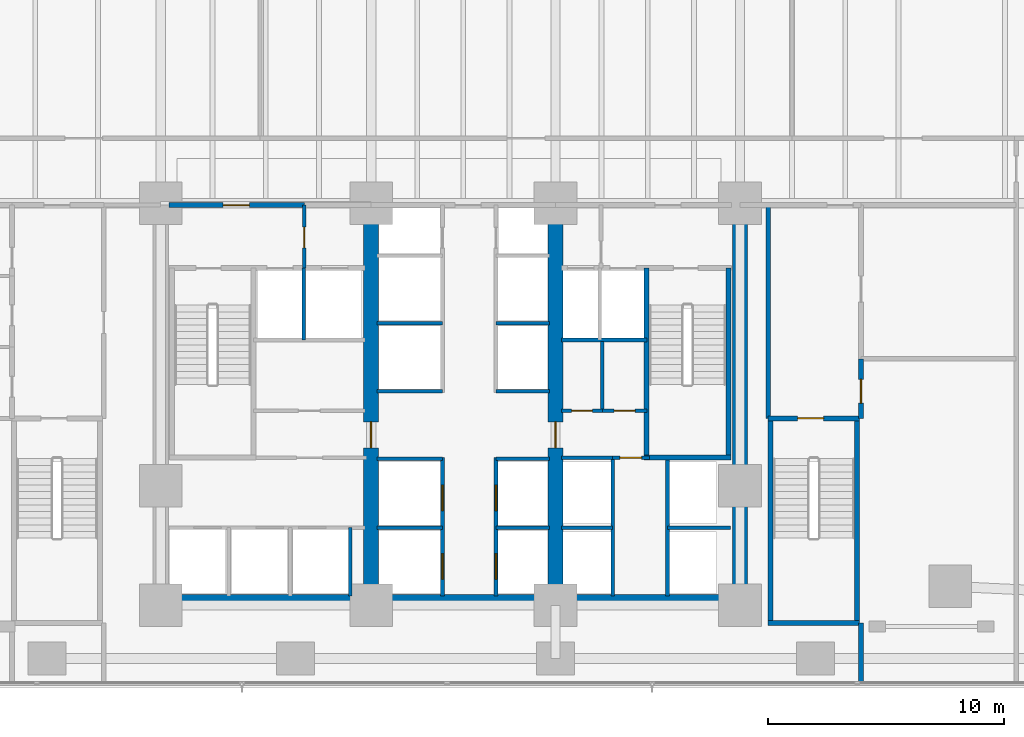
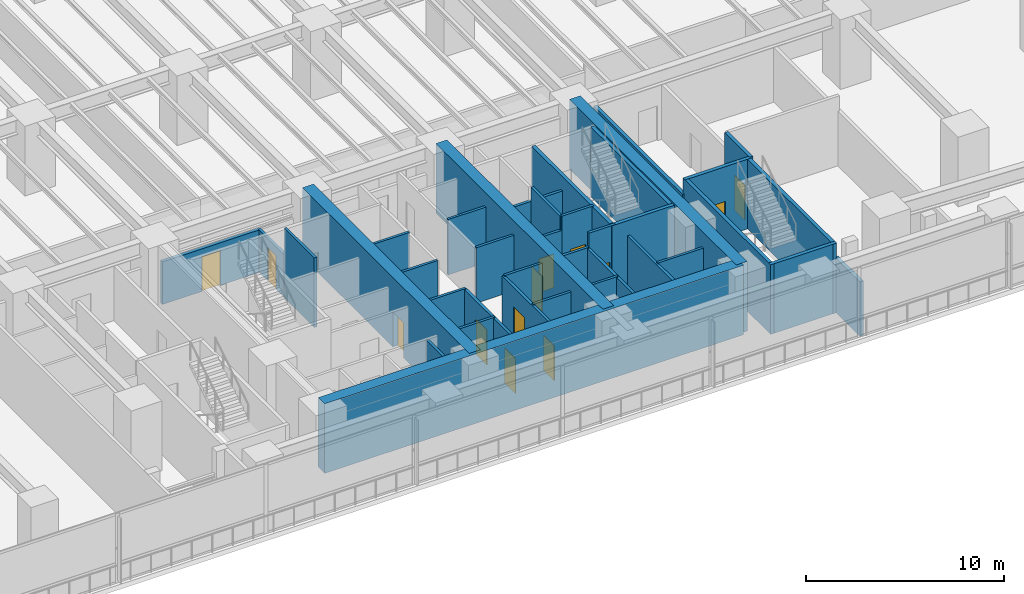
# One storey, part 11 of 27: 38 walls, 13 doors, 13 openings.
"""IFC4 building model written with IfcOpenShell, lengths in metres."""

from ifc_helpers import new_model, si_unit, direction, frame, frame_2d, origin, place, context, subcontext, project, spatial, rectangle, extrude, material, layer, layer_set, type_object, element, fill, save


model = new_model("IFC4")

# Units and contexts
model_context = context("Model", 3, precision=1e-05, world=origin(), true_north=direction((0.0, 1.0)))
body_context = subcontext(model_context, "Body", "Model", "MODEL_VIEW")
ifc_project = project(units=[si_unit("LENGTHUNIT", "METRE"), si_unit("AREAUNIT", "SQUARE_METRE"), si_unit("VOLUMEUNIT", "CUBIC_METRE"), si_unit("PLANEANGLEUNIT", "RADIAN"), si_unit("MASSUNIT", "GRAM", prefix="KILO")], contexts=[model_context])

# Site, building, storey
site_placement = place(None, origin())
site = spatial("IfcSite", under=ifc_project, at=site_placement, CompositionType="ELEMENT")
building_placement = place(site_placement, origin())
building = spatial("IfcBuilding", under=site, at=building_placement, Name="Qalmaran Belvedere Hotel", CompositionType="ELEMENT")
storey_placement = place(building_placement, frame((0.0, 0.0, 5.39990234375)))
storey = spatial("IfcBuildingStorey", under=building, at=storey_placement, Name="L01", CompositionType="ELEMENT", Elevation=5.39990234375)

# Walls
ifc_material_1 = material(Name="Concrete C60/75", Category="concrete")
ifc_layer_1 = layer(ifc_material_1, 0.64990234375, Name="Concrete C60/75")
ifc_layer_set_1 = layer_set([ifc_layer_1], Name="Concrete C60/75")
wall_type_1 = type_object("IfcWallType", Name="WL-CORE-650-C60", PredefinedType="SHEAR", material=ifc_layer_set_1)
wall_1_placement = place(storey_placement, frame((20.300048828125, 3.6298828125, 0.0), z_axis=(0.0, 0.0, 1.0), x_axis=(1.0, 0.0, 0.0)))
element("IfcWall", 1, at=wall_1_placement, inside=storey, type_object=wall_type_1, Name="L01 South Core Shear Wall", PredefinedType="SHEAR", context=body_context, shape_type="SweptSolid", body=[
    extrude(rectangle(XDim=24.5, YDim=0.64990234375, at=frame_2d((12.25, 0.0))), origin(), (0.0, 0.0, 1.0), 4.300048828125),
])
wall_2_placement = place(storey_placement, frame((44.800048828125, 3.5, 0.0), z_axis=(0.0, 0.0, 1.0), x_axis=(0.0, 1.0, 0.0)))
element("IfcWall", 2, at=wall_2_placement, inside=storey, type_object=wall_type_1, Name="L01 East Core Shear Wall", PredefinedType="SHEAR", context=body_context, shape_type="SweptSolid", body=[
    extrude(rectangle(XDim=16.89990234375, YDim=0.64990234375, at=frame_2d((8.449951171875, 0.0))), origin(), (0.0, 0.0, 1.0), 4.300048828125),
])

# Wall, opening, door
wall_3_placement = place(storey_placement, frame((29.199951171875, 3.5, 0.0), z_axis=(0.0, 0.0, 1.0), x_axis=(0.0, 1.0, 0.0)))
wall_3 = element("IfcWall", 3, at=wall_3_placement, inside=storey, type_object=wall_type_1, Name="L01 Core West Spine Shear Wall", PredefinedType="SHEAR", context=body_context, shape_type="SweptSolid", body=[
    extrude(rectangle(XDim=16.89990234375, YDim=0.64990234375, at=frame_2d((8.449951171875, 0.0))), origin(), (0.0, 0.0, 1.0), 4.300048828125),
])
opening_1_placement = place(wall_3_placement, frame((7.75, 0.0, 0.0), z_axis=(0.0, 0.0, 1.0), x_axis=(-1.0, 0.0, 0.0)))
opening_1 = element("IfcOpeningElement", 4, at=opening_1_placement, cuts=wall_3, Name="Opening FD90", PredefinedType="OPENING", context=body_context, shape_type="SweptSolid", body=[
    extrude(rectangle(XDim=1.10009765625, YDim=2.14990234375, at=frame_2d((0.550048828125, 1.074951171875))), frame((0.0, 0.3349609375, 0.0), z_axis=(0.0, -1.0, 0.0), x_axis=(1.0, 0.0, 0.0)), (0.0, 0.0, 1.0), 0.669921875),
])
ifc_material_2 = material(Name="Steel S355JR", Category="steel")
door_type_1 = type_object("IfcDoorType", Name="DR-FD90-1100X2150", OperationType="NOTDEFINED", PredefinedType="DOOR", material=ifc_material_2)
door_1_placement = place(opening_1_placement, origin())
door_1 = element("IfcDoor", 5, at=door_1_placement, inside=storey, type_object=door_type_1, Name="L01 Core West Cross-Lobby Door", OperationType="SINGLE_SWING_RIGHT", OverallHeight=2.14990234375, OverallWidth=1.10009765625, PredefinedType="DOOR", context=body_context, shape_type="SweptSolid", body=[
    extrude(rectangle(XDim=1.10009765625, YDim=2.14990234375, at=frame_2d((0.550048828125, 1.074951171875))), frame((0.0, 0.02490234375, 0.0), z_axis=(0.0, -1.0, 0.0), x_axis=(1.0, 0.0, 0.0)), (0.0, 0.0, 1.0), 0.050048828125),
])
fill(opening_1, door_1)

wall_4_placement = place(storey_placement, frame((37.0, 3.5, 0.0), z_axis=(0.0, 0.0, 1.0), x_axis=(0.0, 1.0, 0.0)))
wall_4 = element("IfcWall", 6, at=wall_4_placement, inside=storey, type_object=wall_type_1, Name="L01 Core East Spine Shear Wall", PredefinedType="SHEAR", context=body_context, shape_type="SweptSolid", body=[
    extrude(rectangle(XDim=16.89990234375, YDim=0.64990234375, at=frame_2d((8.449951171875, 0.0))), origin(), (0.0, 0.0, 1.0), 4.300048828125),
])
opening_2_placement = place(wall_4_placement, frame((6.64990234375, 0.0, 0.0)))
opening_2 = element("IfcOpeningElement", 7, at=opening_2_placement, cuts=wall_4, Name="Opening FD90", PredefinedType="OPENING", context=body_context, shape_type="SweptSolid", body=[
    extrude(rectangle(XDim=1.10009765625, YDim=2.14990234375, at=frame_2d((0.550048828125, 1.074951171875))), frame((0.0, 0.3349609375, 0.0), z_axis=(0.0, -1.0, 0.0), x_axis=(1.0, 0.0, 0.0)), (0.0, 0.0, 1.0), 0.669921875),
])
door_2_placement = place(opening_2_placement, origin())
door_2 = element("IfcDoor", 8, at=door_2_placement, inside=storey, type_object=door_type_1, Name="L01 Core East Cross-Lobby Door", OperationType="SINGLE_SWING_LEFT", OverallHeight=2.14990234375, OverallWidth=1.10009765625, PredefinedType="DOOR", context=body_context, shape_type="SweptSolid", body=[
    extrude(rectangle(XDim=1.10009765625, YDim=2.14990234375, at=frame_2d((0.550048828125, 1.074951171875))), frame((0.0, 0.02490234375, 0.0), z_axis=(0.0, -1.0, 0.0), x_axis=(1.0, 0.0, 0.0)), (0.0, 0.0, 1.0), 0.050048828125),
])
fill(opening_2, door_2)

# Walls
ifc_material_3 = material(Name="Gypsum Stud Partition")
ifc_layer_2 = layer(ifc_material_3, 0.14990234375, Name="Gypsum Stud Partition")
ifc_layer_set_2 = layer_set([ifc_layer_2], Name="Gypsum Stud Partition")
wall_type_2 = type_object("IfcWallType", Name="WL-INT-150-EI120", PredefinedType="PARTITIONING", material=ifc_layer_set_2)
wall_5_placement = place(storey_placement, frame((26.360107421875, 14.719970703125, 0.0), z_axis=(0.0, 0.0, 1.0), x_axis=(0.0, 1.0, 0.0)))
element("IfcWall", 9, at=wall_5_placement, inside=storey, type_object=wall_type_2, Name="L01 Partition WL-FF1M-L01", PredefinedType="PARTITIONING", context=body_context, shape_type="SweptSolid", body=[
    extrude(rectangle(XDim=3.0400390625, YDim=0.14990234375, at=frame_2d((1.52001953125, 0.0))), origin(), (0.0, 0.0, 1.0), 4.300048828125),
])
wall_6_placement = place(storey_placement, frame((28.320068359375, 3.89990234375, 0.0), z_axis=(0.0, 0.0, 1.0), x_axis=(0.0, 1.0, 0.0)))
element("IfcWall", 10, at=wall_6_placement, inside=storey, type_object=wall_type_2, Name="L01 Partition WL-POM3-L01", PredefinedType="PARTITIONING", context=body_context, shape_type="SweptSolid", body=[
    extrude(rectangle(XDim=2.880126953125, YDim=0.14990234375, at=frame_2d((1.43994140625, 0.0))), origin(), (0.0, 0.0, 1.0), 3.373046875),
])
wall_7_placement = place(storey_placement, frame((37.25, 6.780029296875, 0.0), z_axis=(0.0, 0.0, 1.0), x_axis=(1.0, 0.0, 0.0)))
element("IfcWall", 11, at=wall_7_placement, inside=storey, type_object=wall_type_2, Name="L01 Partition WL-PHMW-L01", PredefinedType="PARTITIONING", context=body_context, shape_type="SweptSolid", body=[
    extrude(rectangle(XDim=2.169921875, YDim=0.14990234375, at=frame_2d((1.0849609375, 0.0))), origin(), (0.0, 0.0, 1.0), 3.43017578125),
])
wall_8_placement = place(storey_placement, frame((41.739990234375, 6.780029296875, 0.0), z_axis=(0.0, 0.0, 1.0), x_axis=(1.0, 0.0, 0.0)))
element("IfcWall", 12, at=wall_8_placement, inside=storey, type_object=wall_type_2, Name="L01 Partition WL-PHME-L01", PredefinedType="PARTITIONING", context=body_context, shape_type="SweptSolid", body=[
    extrude(rectangle(XDim=2.659912109375, YDim=0.14990234375, at=frame_2d((1.330078125, 0.0))), origin(), (0.0, 0.0, 1.0), 3.43017578125),
])
wall_9_placement = place(storey_placement, frame((29.449951171875, 6.780029296875, 0.0), z_axis=(0.0, 0.0, 1.0), x_axis=(1.0, 0.0, 0.0)))
element("IfcWall", 13, at=wall_9_placement, inside=storey, type_object=wall_type_2, Name="L01 Partition WL-PLW-L01-67", PredefinedType="PARTITIONING", context=body_context, shape_type="SweptSolid", body=[
    extrude(rectangle(XDim=2.77001953125, YDim=0.14990234375, at=frame_2d((1.385009765625, 0.0))), origin(), (0.0, 0.0, 1.0), 3.43017578125),
])
wall_10_placement = place(storey_placement, frame((34.47998046875, 6.780029296875, 0.0), z_axis=(0.0, 0.0, 1.0), x_axis=(1.0, 0.0, 0.0)))
element("IfcWall", 14, at=wall_10_placement, inside=storey, type_object=wall_type_2, Name="L01 Partition WL-PLE-L01-67", PredefinedType="PARTITIONING", context=body_context, shape_type="SweptSolid", body=[
    extrude(rectangle(XDim=2.27001953125, YDim=0.14990234375, at=frame_2d((1.135009765625, 0.0))), origin(), (0.0, 0.0, 1.0), 3.43017578125),
])
wall_11_placement = place(storey_placement, frame((29.449951171875, 9.699951171875, 0.0), z_axis=(0.0, 0.0, 1.0), x_axis=(1.0, 0.0, 0.0)))
element("IfcWall", 15, at=wall_11_placement, inside=storey, type_object=wall_type_2, Name="L01 Partition WL-PLW-L01-97", PredefinedType="PARTITIONING", context=body_context, shape_type="SweptSolid", body=[
    extrude(rectangle(XDim=2.77001953125, YDim=0.14990234375, at=frame_2d((1.385009765625, 0.0))), origin(), (0.0, 0.0, 1.0), 3.43017578125),
])
wall_12_placement = place(storey_placement, frame((34.47998046875, 9.699951171875, 0.0), z_axis=(0.0, 0.0, 1.0), x_axis=(1.0, 0.0, 0.0)))
element("IfcWall", 16, at=wall_12_placement, inside=storey, type_object=wall_type_2, Name="L01 Partition WL-PLE-L01-97", PredefinedType="PARTITIONING", context=body_context, shape_type="SweptSolid", body=[
    extrude(rectangle(XDim=2.27001953125, YDim=0.14990234375, at=frame_2d((1.135009765625, 0.0))), origin(), (0.0, 0.0, 1.0), 3.43017578125),
])
wall_13_placement = place(storey_placement, frame((29.449951171875, 12.550048828125, 0.0), z_axis=(0.0, 0.0, 1.0), x_axis=(1.0, 0.0, 0.0)))
element("IfcWall", 17, at=wall_13_placement, inside=storey, type_object=wall_type_2, Name="L01 Partition WL-PMW-L01-125", PredefinedType="PARTITIONING", context=body_context, shape_type="SweptSolid", body=[
    extrude(rectangle(XDim=2.77001953125, YDim=0.14990234375, at=frame_2d((1.385009765625, 0.0))), origin(), (0.0, 0.0, 1.0), 3.43017578125),
])
wall_14_placement = place(storey_placement, frame((34.47998046875, 12.550048828125, 0.0), z_axis=(0.0, 0.0, 1.0), x_axis=(1.0, 0.0, 0.0)))
element("IfcWall", 18, at=wall_14_placement, inside=storey, type_object=wall_type_2, Name="L01 Partition WL-PME-L01-125", PredefinedType="PARTITIONING", context=body_context, shape_type="SweptSolid", body=[
    extrude(rectangle(XDim=2.27001953125, YDim=0.14990234375, at=frame_2d((1.135009765625, 0.0))), origin(), (0.0, 0.0, 1.0), 3.43017578125),
])
wall_15_placement = place(storey_placement, frame((29.449951171875, 15.419921875, 0.0), z_axis=(0.0, 0.0, 1.0), x_axis=(1.0, 0.0, 0.0)))
element("IfcWall", 19, at=wall_15_placement, inside=storey, type_object=wall_type_2, Name="L01 Partition WL-PMW-L01-154", PredefinedType="PARTITIONING", context=body_context, shape_type="SweptSolid", body=[
    extrude(rectangle(XDim=2.77001953125, YDim=0.14990234375, at=frame_2d((1.385009765625, 0.0))), origin(), (0.0, 0.0, 1.0), 3.43017578125),
])
wall_16_placement = place(storey_placement, frame((34.47998046875, 15.419921875, 0.0), z_axis=(0.0, 0.0, 1.0), x_axis=(1.0, 0.0, 0.0)))
element("IfcWall", 20, at=wall_16_placement, inside=storey, type_object=wall_type_2, Name="L01 Partition WL-PME-L01-154", PredefinedType="PARTITIONING", context=body_context, shape_type="SweptSolid", body=[
    extrude(rectangle(XDim=2.27001953125, YDim=0.14990234375, at=frame_2d((1.135009765625, 0.0))), origin(), (0.0, 0.0, 1.0), 3.43017578125),
])
ifc_layer_3 = layer(ifc_material_3, 0.14990234375, Name="Gypsum Stud Partition")
ifc_layer_set_3 = layer_set([ifc_layer_3], Name="Gypsum Stud Partition")
wall_type_3 = type_object("IfcWallType", Name="WL-INT-150-EI60", PredefinedType="PARTITIONING", material=ifc_layer_set_3)
wall_17_placement = place(storey_placement, frame((38.98291015625, 11.719970703125, 0.0), z_axis=(0.0, 0.0, 1.0), x_axis=(0.0, 1.0, 0.0)))
element("IfcWall", 21, at=wall_17_placement, inside=storey, type_object=wall_type_3, Name="L01 Partition WL-L01-KEV1", PredefinedType="PARTITIONING", context=body_context, shape_type="SweptSolid", body=[
    extrude(rectangle(XDim=2.929931640625, YDim=0.14990234375, at=frame_2d((1.46484375, 0.0))), origin(), (0.0, 0.0, 1.0), 4.300048828125),
])

# Wall, opening, door
ifc_layer_4 = layer(ifc_material_3, 0.159912109375, Name="Gypsum Stud Partition")
ifc_layer_set_4 = layer_set([ifc_layer_4], Name="Gypsum Stud Partition")
wall_type_4 = type_object("IfcWallType", Name="WL-INT-160-EI120", PredefinedType="PARTITIONING", material=ifc_layer_set_4)
wall_18_placement = place(storey_placement, frame((26.3798828125, 17.760009765625, 0.0), z_axis=(0.0, 0.0, 1.0), x_axis=(0.0, 1.0, 0.0)))
wall_18 = element("IfcWall", 22, at=wall_18_placement, inside=storey, type_object=wall_type_4, Name="L01 Partition WL-FFSV1-L01", PredefinedType="PARTITIONING", context=body_context, shape_type="SweptSolid", body=[
    extrude(rectangle(XDim=2.659912109375, YDim=0.159912109375, at=frame_2d((1.330078125, 0.0))), origin(), (0.0, 0.0, 1.0), 2.634521484375),
])
opening_3_placement = place(wall_18_placement, frame((0.85009765625, 0.0, 0.0)))
opening_3 = element("IfcOpeningElement", 23, at=opening_3_placement, cuts=wall_18, Name="Opening FD60B", PredefinedType="OPENING", context=body_context, shape_type="SweptSolid", body=[
    extrude(rectangle(XDim=0.8798828125, YDim=2.080078125, at=frame_2d((0.43994140625, 1.0400390625))), frame((0.0, 0.08984375, 0.0), z_axis=(0.0, -1.0, 0.0), x_axis=(1.0, 0.0, 0.0)), (0.0, 0.0, 1.0), 0.179931640625),
])
door_type_2 = type_object("IfcDoorType", Name="DR-FD60B-880X2080", OperationType="NOTDEFINED", PredefinedType="DOOR", material=ifc_material_2)
door_3_placement = place(opening_3_placement, origin())
door_3 = element("IfcDoor", 24, at=door_3_placement, inside=storey, type_object=door_type_2, Name="L01 Service Lobby West Door", OperationType="SINGLE_SWING_RIGHT", OverallHeight=2.080078125, OverallWidth=0.8798828125, PredefinedType="DOOR", context=body_context, shape_type="SweptSolid", body=[
    extrude(rectangle(XDim=0.8798828125, YDim=2.080078125, at=frame_2d((0.43994140625, 1.0400390625))), frame((0.0, 0.02490234375, 0.0), z_axis=(0.0, -1.0, 0.0), x_axis=(1.0, 0.0, 0.0)), (0.0, 0.0, 1.0), 0.050048828125),
])
fill(opening_3, door_3)

# Walls
wall_19_placement = place(storey_placement, frame((37.25, 14.719970703125, 0.0), z_axis=(0.0, 0.0, 1.0), x_axis=(1.0, 0.0, 0.0)))
element("IfcWall", 25, at=wall_19_placement, inside=storey, type_object=wall_type_4, Name="L01 Partition WL-FF2S-L01", PredefinedType="PARTITIONING", context=body_context, shape_type="SweptSolid", body=[
    extrude(rectangle(XDim=3.610107421875, YDim=0.159912109375, at=frame_2d((1.80517578125, 0.0))), origin(), (0.0, 0.0, 1.0), 3.43017578125),
])
for number, where, z_axis, x_axis, name in (
    (26, (39.419921875, 3.89990234375, 0.0), (0.0, 0.0, 1.0), (0.0, 1.0, 0.0), "L01 Partition WL-PHW-L01"),
    (27, (41.739990234375, 3.89990234375, 0.0), (0.0, 0.0, 1.0), (0.0, 1.0, 0.0), "L01 Partition WL-PHE-L01"),
):
    element("IfcWall", number, at=place(storey_placement, frame(where, z_axis=z_axis, x_axis=x_axis)), inside=storey, type_object=wall_type_4, Name=name, PredefinedType="PARTITIONING", context=body_context, shape_type="SweptSolid", body=[
        extrude(rectangle(XDim=5.840087890625, YDim=0.159912109375, at=frame_2d((2.919921875, 0.0))), origin(), (0.0, 0.0, 1.0), 3.373046875),
    ])
wall_20_placement = place(storey_placement, frame((37.25, 9.739990234375, 0.0), z_axis=(0.0, 0.0, 1.0), x_axis=(1.0, 0.0, 0.0)))
element("IfcWall", 28, at=wall_20_placement, inside=storey, type_object=wall_type_4, Name="L01 Partition WL-PHNW-L01", PredefinedType="PARTITIONING", context=body_context, shape_type="SweptSolid", body=[
    extrude(rectangle(XDim=2.169921875, YDim=0.159912109375, at=frame_2d((1.0849609375, 0.0))), origin(), (0.0, 0.0, 1.0), 3.43017578125),
])

# Wall, opening, door
wall_21_placement = place(storey_placement, frame((39.419921875, 9.739990234375, 0.0), z_axis=(0.0, 0.0, 1.0), x_axis=(1.0, 0.0, 0.0)))
wall_21 = element("IfcWall", 29, at=wall_21_placement, inside=storey, type_object=wall_type_4, Name="L01 Partition WL-PHNL-L01", PredefinedType="PARTITIONING", context=body_context, shape_type="SweptSolid", body=[
    extrude(rectangle(XDim=1.56005859375, YDim=0.159912109375, at=frame_2d((0.780029296875, 0.0))), origin(), (0.0, 0.0, 1.0), 4.300048828125),
])
opening_4_placement = place(wall_21_placement, frame((0.300048828125, 0.0, 0.0)))
opening_4 = element("IfcOpeningElement", 30, at=opening_4_placement, cuts=wall_21, Name="Opening FD60S1", PredefinedType="OPENING", context=body_context, shape_type="SweptSolid", body=[
    extrude(rectangle(XDim=0.919921875, YDim=2.080078125, at=frame_2d((0.4599609375, 1.0400390625))), frame((0.0, 0.08984375, 0.0), z_axis=(0.0, -1.0, 0.0), x_axis=(1.0, 0.0, 0.0)), (0.0, 0.0, 1.0), 0.179931640625),
])
ifc_material_4 = material(Name="Engineered Oak Veneer")
door_type_3 = type_object("IfcDoorType", Name="DR-FD60S-920X2080", OperationType="NOTDEFINED", PredefinedType="DOOR", material=ifc_material_4)
door_4_placement = place(opening_4_placement, origin())
door_4 = element("IfcDoor", 31, at=door_4_placement, inside=storey, type_object=door_type_3, Name="L01 High-Rise Lift Lobby Passage Door", OperationType="SINGLE_SWING_LEFT", OverallHeight=2.080078125, OverallWidth=0.919921875, PredefinedType="DOOR", context=body_context, shape_type="SweptSolid", body=[
    extrude(rectangle(XDim=0.919921875, YDim=2.080078125, at=frame_2d((0.4599609375, 1.0400390625))), frame((0.0, 0.02490234375, 0.0), z_axis=(0.0, -1.0, 0.0), x_axis=(1.0, 0.0, 0.0)), (0.0, 0.0, 1.0), 0.050048828125),
])
fill(opening_4, door_4)

# Wall, openings, doors
wall_22_placement = place(storey_placement, frame((32.219970703125, 3.89990234375, 0.0), z_axis=(0.0, 0.0, 1.0), x_axis=(0.0, 1.0, 0.0)))
wall_22 = element("IfcWall", 32, at=wall_22_placement, inside=storey, type_object=wall_type_4, Name="L01 Partition WL-CLBWS-L01", PredefinedType="PARTITIONING", context=body_context, shape_type="SweptSolid", body=[
    extrude(rectangle(XDim=5.840087890625, YDim=0.159912109375, at=frame_2d((2.919921875, 0.0))), origin(), (0.0, 0.0, 1.0), 3.373046875),
])
opening_5_placement = place(wall_22_placement, frame((1.780029296875, 0.0, 0.0), z_axis=(0.0, 0.0, 1.0), x_axis=(-1.0, 0.0, 0.0)))
opening_5 = element("IfcOpeningElement", 33, at=opening_5_placement, cuts=wall_22, Name="Opening LD-P1", PredefinedType="OPENING", context=body_context, shape_type="SweptSolid", body=[
    extrude(rectangle(XDim=1.080078125, YDim=2.159912109375, at=frame_2d((0.5400390625, 1.080078125))), frame((0.0, 0.08984375, 0.0), z_axis=(0.0, -1.0, 0.0), x_axis=(1.0, 0.0, 0.0)), (0.0, 0.0, 1.0), 0.179931640625),
])
opening_6_placement = place(wall_22_placement, frame((4.68017578125, 0.0, 0.0), z_axis=(0.0, 0.0, 1.0), x_axis=(-1.0, 0.0, 0.0)))
opening_6 = element("IfcOpeningElement", 34, at=opening_6_placement, cuts=wall_22, Name="Opening LD-P1", PredefinedType="OPENING", context=body_context, shape_type="SweptSolid", body=[
    extrude(rectangle(XDim=1.080078125, YDim=2.159912109375, at=frame_2d((0.5400390625, 1.080078125))), frame((0.0, 0.08984375, 0.0), z_axis=(0.0, -1.0, 0.0), x_axis=(1.0, 0.0, 0.0)), (0.0, 0.0, 1.0), 0.179931640625),
])
ifc_material_5 = material(Name="Stainless Steel 1.4401", Category="steel")
door_type_4 = type_object("IfcDoorType", Name="DR-LIFT-P1-1080X2160", OperationType="DOUBLE_DOOR_SLIDING", PredefinedType="DOOR", material=ifc_material_5)
door_5_placement = place(opening_5_placement, origin())
door_5 = element("IfcDoor", 35, at=door_5_placement, inside=storey, type_object=door_type_4, Name="L01 PL1 Lift Landing Door", OperationType="DOUBLE_DOOR_SLIDING", OverallHeight=2.159912109375, OverallWidth=1.080078125, PredefinedType="DOOR", context=body_context, shape_type="SweptSolid", body=[
    extrude(rectangle(XDim=1.080078125, YDim=2.159912109375, at=frame_2d((0.5400390625, 1.080078125))), frame((0.0, 0.02490234375, 0.0), z_axis=(0.0, -1.0, 0.0), x_axis=(1.0, 0.0, 0.0)), (0.0, 0.0, 1.0), 0.050048828125),
])
fill(opening_5, door_5)
door_6_placement = place(opening_6_placement, origin())
door_6 = element("IfcDoor", 36, at=door_6_placement, inside=storey, type_object=door_type_4, Name="L01 PL2 Lift Landing Door", OperationType="DOUBLE_DOOR_SLIDING", OverallHeight=2.159912109375, OverallWidth=1.080078125, PredefinedType="DOOR", context=body_context, shape_type="SweptSolid", body=[
    extrude(rectangle(XDim=1.080078125, YDim=2.159912109375, at=frame_2d((0.5400390625, 1.080078125))), frame((0.0, 0.02490234375, 0.0), z_axis=(0.0, -1.0, 0.0), x_axis=(1.0, 0.0, 0.0)), (0.0, 0.0, 1.0), 0.050048828125),
])
fill(opening_6, door_6)

wall_23_placement = place(storey_placement, frame((34.47998046875, 3.89990234375, 0.0), z_axis=(0.0, 0.0, 1.0), x_axis=(0.0, 1.0, 0.0)))
wall_23 = element("IfcWall", 37, at=wall_23_placement, inside=storey, type_object=wall_type_4, Name="L01 Partition WL-CLBES-L01", PredefinedType="PARTITIONING", context=body_context, shape_type="SweptSolid", body=[
    extrude(rectangle(XDim=5.840087890625, YDim=0.159912109375, at=frame_2d((2.919921875, 0.0))), origin(), (0.0, 0.0, 1.0), 3.373046875),
])
opening_7_placement = place(wall_23_placement, frame((0.699951171875, 0.0, 0.0)))
opening_7 = element("IfcOpeningElement", 38, at=opening_7_placement, cuts=wall_23, Name="Opening LD-P1", PredefinedType="OPENING", context=body_context, shape_type="SweptSolid", body=[
    extrude(rectangle(XDim=1.080078125, YDim=2.159912109375, at=frame_2d((0.5400390625, 1.080078125))), frame((0.0, 0.08984375, 0.0), z_axis=(0.0, -1.0, 0.0), x_axis=(1.0, 0.0, 0.0)), (0.0, 0.0, 1.0), 0.179931640625),
])
opening_8_placement = place(wall_23_placement, frame((3.60009765625, 0.0, 0.0)))
opening_8 = element("IfcOpeningElement", 39, at=opening_8_placement, cuts=wall_23, Name="Opening LD-P1", PredefinedType="OPENING", context=body_context, shape_type="SweptSolid", body=[
    extrude(rectangle(XDim=1.080078125, YDim=2.159912109375, at=frame_2d((0.5400390625, 1.080078125))), frame((0.0, 0.08984375, 0.0), z_axis=(0.0, -1.0, 0.0), x_axis=(1.0, 0.0, 0.0)), (0.0, 0.0, 1.0), 0.179931640625),
])
door_7_placement = place(opening_7_placement, origin())
door_7 = element("IfcDoor", 40, at=door_7_placement, inside=storey, type_object=door_type_4, Name="L01 PL3 Lift Landing Door", OperationType="DOUBLE_DOOR_SLIDING", OverallHeight=2.159912109375, OverallWidth=1.080078125, PredefinedType="DOOR", context=body_context, shape_type="SweptSolid", body=[
    extrude(rectangle(XDim=1.080078125, YDim=2.159912109375, at=frame_2d((0.5400390625, 1.080078125))), frame((0.0, 0.02490234375, 0.0), z_axis=(0.0, -1.0, 0.0), x_axis=(1.0, 0.0, 0.0)), (0.0, 0.0, 1.0), 0.050048828125),
])
fill(opening_7, door_7)
door_8_placement = place(opening_8_placement, origin())
door_8 = element("IfcDoor", 41, at=door_8_placement, inside=storey, type_object=door_type_4, Name="L01 PL4 Lift Landing Door", OperationType="DOUBLE_DOOR_SLIDING", OverallHeight=2.159912109375, OverallWidth=1.080078125, PredefinedType="DOOR", context=body_context, shape_type="SweptSolid", body=[
    extrude(rectangle(XDim=1.080078125, YDim=2.159912109375, at=frame_2d((0.5400390625, 1.080078125))), frame((0.0, 0.02490234375, 0.0), z_axis=(0.0, -1.0, 0.0), x_axis=(1.0, 0.0, 0.0)), (0.0, 0.0, 1.0), 0.050048828125),
])
fill(opening_8, door_8)

# Wall, opening, door
ifc_layer_5 = layer(ifc_material_3, 0.159912109375, Name="Gypsum Stud Partition")
ifc_layer_set_5 = layer_set([ifc_layer_5], Name="Gypsum Stud Partition")
wall_type_5 = type_object("IfcWallType", Name="WL-INT-160-EI60", PredefinedType="PARTITIONING", material=ifc_layer_set_5)
wall_24_placement = place(storey_placement, frame((37.25, 11.719970703125, 0.0), z_axis=(0.0, 0.0, 1.0), x_axis=(1.0, 0.0, 0.0)))
wall_24 = element("IfcWall", 42, at=wall_24_placement, inside=storey, type_object=wall_type_5, Name="L01 Partition WL-L01-KEE1", PredefinedType="PARTITIONING", context=body_context, shape_type="SweptSolid", body=[
    extrude(rectangle(XDim=1.73291015625, YDim=0.159912109375, at=frame_2d((0.866455078125, 0.0))), origin(), (0.0, 0.0, 1.0), 3.43017578125),
])
opening_9_placement = place(wall_24_placement, frame((0.426513671875, 0.0, 0.0)))
opening_9 = element("IfcOpeningElement", 43, at=opening_9_placement, cuts=wall_24, Name="Opening FD60B", PredefinedType="OPENING", context=body_context, shape_type="SweptSolid", body=[
    extrude(rectangle(XDim=0.8798828125, YDim=2.080078125, at=frame_2d((0.43994140625, 1.0400390625))), frame((0.0, 0.08984375, 0.0), z_axis=(0.0, -1.0, 0.0), x_axis=(1.0, 0.0, 0.0)), (0.0, 0.0, 1.0), 0.179931640625),
])
door_9_placement = place(opening_9_placement, origin())
door_9 = element("IfcDoor", 44, at=door_9_placement, inside=storey, type_object=door_type_2, Name="L01 Cleaner Equipment Store Door", OperationType="SINGLE_SWING_RIGHT", OverallHeight=2.080078125, OverallWidth=0.8798828125, PredefinedType="DOOR", context=body_context, shape_type="SweptSolid", body=[
    extrude(rectangle(XDim=0.8798828125, YDim=2.080078125, at=frame_2d((0.43994140625, 1.0400390625))), frame((0.0, 0.02490234375, 0.0), z_axis=(0.0, -1.0, 0.0), x_axis=(1.0, 0.0, 0.0)), (0.0, 0.0, 1.0), 0.050048828125),
])
fill(opening_9, door_9)

wall_25_placement = place(storey_placement, frame((38.98291015625, 11.719970703125, 0.0), z_axis=(0.0, 0.0, 1.0), x_axis=(1.0, 0.0, 0.0)))
wall_25 = element("IfcWall", 45, at=wall_25_placement, inside=storey, type_object=wall_type_5, Name="L01 Partition WL-L01-KEE2", PredefinedType="PARTITIONING", context=body_context, shape_type="SweptSolid", body=[
    extrude(rectangle(XDim=1.877197265625, YDim=0.159912109375, at=frame_2d((0.9384765625, 0.0))), origin(), (0.0, 0.0, 1.0), 4.300048828125),
])
opening_10_placement = place(wall_25_placement, frame((0.49853515625, 0.0, 0.0)))
opening_10 = element("IfcOpeningElement", 46, at=opening_10_placement, cuts=wall_25, Name="Opening FD60B", PredefinedType="OPENING", context=body_context, shape_type="SweptSolid", body=[
    extrude(rectangle(XDim=0.8798828125, YDim=2.080078125, at=frame_2d((0.43994140625, 1.0400390625))), frame((0.0, 0.08984375, 0.0), z_axis=(0.0, -1.0, 0.0), x_axis=(1.0, 0.0, 0.0)), (0.0, 0.0, 1.0), 0.179931640625),
])
door_10_placement = place(opening_10_placement, origin())
door_10 = element("IfcDoor", 47, at=door_10_placement, inside=storey, type_object=door_type_2, Name="L01 Low Voltage Switch Room Door", OperationType="SINGLE_SWING_LEFT", OverallHeight=2.080078125, OverallWidth=0.8798828125, PredefinedType="DOOR", context=body_context, shape_type="SweptSolid", body=[
    extrude(rectangle(XDim=0.8798828125, YDim=2.080078125, at=frame_2d((0.43994140625, 1.0400390625))), frame((0.0, 0.02490234375, 0.0), z_axis=(0.0, -1.0, 0.0), x_axis=(1.0, 0.0, 0.0)), (0.0, 0.0, 1.0), 0.050048828125),
])
fill(opening_10, door_10)

ifc_material_6 = material(Name="Concrete C30/37 Blockwork", Category="masonry")
ifc_layer_6 = layer(ifc_material_6, 0.199951171875, Name="Concrete C30/37 Blockwork")
ifc_layer_set_6 = layer_set([ifc_layer_6], Name="Concrete C30/37 Blockwork")
wall_type_6 = type_object("IfcWallType", Name="WL-INT-200-EI120", PredefinedType="PARTITIONING", material=ifc_layer_set_6)
wall_26_placement = place(storey_placement, frame((20.64990234375, 20.419921875, 0.0), z_axis=(0.0, 0.0, 1.0), x_axis=(1.0, 0.0, 0.0)))
wall_26 = element("IfcWall", 48, at=wall_26_placement, inside=storey, type_object=wall_type_6, Name="L01 Partition WL-CN1A-L01", PredefinedType="PARTITIONING", context=body_context, shape_type="SweptSolid", body=[
    extrude(rectangle(XDim=5.72998046875, YDim=0.199951171875, at=frame_2d((2.864990234375, 0.0))), origin(), (0.0, 0.0, 1.0), 2.634521484375),
])
opening_11_placement = place(wall_26_placement, frame((2.300048828125, 0.0, 0.0)))
opening_11 = element("IfcOpeningElement", 49, at=opening_11_placement, cuts=wall_26, Name="Opening FD90", PredefinedType="OPENING", context=body_context, shape_type="SweptSolid", body=[
    extrude(rectangle(XDim=1.10009765625, YDim=2.14990234375, at=frame_2d((0.550048828125, 1.074951171875))), frame((0.0, 0.10986328125, 0.0), z_axis=(0.0, -1.0, 0.0), x_axis=(1.0, 0.0, 0.0)), (0.0, 0.0, 1.0), 0.219970703125),
])
door_11_placement = place(opening_11_placement, origin())
door_11 = element("IfcDoor", 50, at=door_11_placement, inside=storey, type_object=door_type_1, Name="L01 FF1 Lobby Corridor Door", OperationType="SINGLE_SWING_RIGHT", OverallHeight=2.14990234375, OverallWidth=1.10009765625, PredefinedType="DOOR", context=body_context, shape_type="SweptSolid", body=[
    extrude(rectangle(XDim=1.10009765625, YDim=2.14990234375, at=frame_2d((0.550048828125, 1.074951171875))), frame((0.0, 0.02490234375, 0.0), z_axis=(0.0, -1.0, 0.0), x_axis=(1.0, 0.0, 0.0)), (0.0, 0.0, 1.0), 0.050048828125),
])
fill(opening_11, door_11)

# Wall
wall_27_placement = place(storey_placement, frame((46.0, 11.39990234375, 0.0), z_axis=(0.0, 0.0, 1.0), x_axis=(0.0, 1.0, 0.0)))
element("IfcWall", 51, at=wall_27_placement, inside=storey, type_object=wall_type_6, Name="L01 Partition WL-L01-STPE1", PredefinedType="PARTITIONING", context=body_context, shape_type="SweptSolid", body=[
    extrude(rectangle(XDim=9.02001953125, YDim=0.199951171875, at=frame_2d((4.510009765625, 0.0))), origin(), (0.0, 0.0, 1.0), 3.373046875),
])

# Wall, opening, door
wall_28_placement = place(storey_placement, frame((49.919921875, 11.39990234375, 0.0), z_axis=(0.0, 0.0, 1.0), x_axis=(0.0, 1.0, 0.0)))
wall_28 = element("IfcWall", 52, at=wall_28_placement, inside=storey, type_object=wall_type_6, Name="L01 Partition WL-L01-STPE2A", PredefinedType="PARTITIONING", context=body_context, shape_type="SweptSolid", body=[
    extrude(rectangle(XDim=2.52001953125, YDim=0.199951171875, at=frame_2d((1.260009765625, 0.0))), origin(), (0.0, 0.0, 1.0), 4.300048828125),
])
opening_12_placement = place(wall_28_placement, frame((1.64990234375, 0.0, 0.0), z_axis=(0.0, 0.0, 1.0), x_axis=(-1.0, 0.0, 0.0)))
opening_12 = element("IfcOpeningElement", 53, at=opening_12_placement, cuts=wall_28, Name="Opening FD90B", PredefinedType="OPENING", context=body_context, shape_type="SweptSolid", body=[
    extrude(rectangle(XDim=1.0, YDim=2.14990234375, at=frame_2d((0.5, 1.074951171875))), frame((0.0, 0.10986328125, 0.0), z_axis=(0.0, -1.0, 0.0), x_axis=(1.0, 0.0, 0.0)), (0.0, 0.0, 1.0), 0.219970703125),
])
door_type_5 = type_object("IfcDoorType", Name="DR-FD90B-1000X2150", OperationType="NOTDEFINED", PredefinedType="DOOR", material=ifc_material_2)
door_12_placement = place(opening_12_placement, origin())
door_12 = element("IfcDoor", 54, at=door_12_placement, inside=storey, type_object=door_type_5, Name="L01 Kitchen Door", OperationType="SINGLE_SWING_RIGHT", OverallHeight=2.14990234375, OverallWidth=1.0, PredefinedType="DOOR", context=body_context, shape_type="SweptSolid", body=[
    extrude(rectangle(XDim=1.0, YDim=2.14990234375, at=frame_2d((0.5, 1.074951171875))), frame((0.0, 0.02490234375, 0.0), z_axis=(0.0, -1.0, 0.0), x_axis=(1.0, 0.0, 0.0)), (0.0, 0.0, 1.0), 0.050048828125),
])
fill(opening_12, door_12)

# Walls
wall_29_placement = place(storey_placement, frame((49.919921875, 0.219970703125, 0.0), z_axis=(0.0, 0.0, 1.0), x_axis=(0.0, 1.0, 0.0)))
element("IfcWall", 55, at=wall_29_placement, inside=storey, type_object=wall_type_6, Name="L01 Partition WL-L01-STPE2S", PredefinedType="PARTITIONING", context=body_context, shape_type="SweptSolid", body=[
    extrude(rectangle(XDim=2.530029296875, YDim=0.199951171875, at=frame_2d((1.26513671875, 0.0))), origin(), (0.0, 0.0, 1.0), 3.373046875),
])
ifc_material_7 = material(Name="Concrete C50/60", Category="concrete")
ifc_layer_7 = layer(ifc_material_7, 0.2099609375, Name="Concrete C50/60")
ifc_layer_set_7 = layer_set([ifc_layer_7], Name="Concrete C50/60")
wall_type_7 = type_object("IfcWallType", Name="WL-STAIR-210-C50", PredefinedType="SHEAR", material=ifc_layer_set_7)
for number, where, z_axis, x_axis, name in (
    (56, (40.85498046875, 9.7451171875, 0.0), (0.0, 0.0, 1.0), (0.0, 1.0, 0.0), "L01 Stair ST-2 West Bearing Wall"),
    (57, (44.304931640625, 9.7451171875, 0.0), (0.0, 0.0, 1.0), (0.0, 1.0, 0.0), "L01 Stair ST-2 East Bearing Wall"),
):
    element("IfcWall", number, at=place(storey_placement, frame(where, z_axis=z_axis, x_axis=x_axis)), inside=storey, type_object=wall_type_7, Name=name, PredefinedType="SHEAR", context=body_context, shape_type="SweptSolid", body=[
        extrude(rectangle(XDim=8.009765625, YDim=0.2099609375, at=frame_2d((4.0048828125, 0.0))), origin(), (0.0, 0.0, 1.0), 4.300048828125),
    ])
wall_30_placement = place(storey_placement, frame((40.75, 9.7451171875, 0.0), z_axis=(0.0, 0.0, 1.0), x_axis=(1.0, 0.0, 0.0)))
element("IfcWall", 58, at=wall_30_placement, inside=storey, type_object=wall_type_7, Name="L01 Stair ST-2 South Bearing Wall", PredefinedType="SHEAR", context=body_context, shape_type="SweptSolid", body=[
    extrude(rectangle(XDim=3.659912109375, YDim=0.2099609375, at=frame_2d((1.830078125, 0.0))), origin(), (0.0, 0.0, 1.0), 4.300048828125),
])
for number, where, z_axis, x_axis, name in (
    (59, (46.094970703125, 2.639892578125, 0.0), (0.0, 0.0, 1.0), (0.0, 1.0, 0.0), "L01 Podium Stair STP2 West Bearing Wall"),
    (60, (49.7451171875, 2.639892578125, 0.0), (0.0, 0.0, 1.0), (0.0, 1.0, 0.0), "L01 Podium Stair STP2 East Bearing Wall"),
):
    element("IfcWall", number, at=place(storey_placement, frame(where, z_axis=z_axis, x_axis=x_axis)), inside=storey, type_object=wall_type_7, Name=name, PredefinedType="SHEAR", context=body_context, shape_type="SweptSolid", body=[
        extrude(rectangle(XDim=8.8701171875, YDim=0.2099609375, at=frame_2d((4.43505859375, 0.0))), origin(), (0.0, 0.0, 1.0), 4.300048828125),
    ])
wall_31_placement = place(storey_placement, frame((45.989990234375, 2.7451171875, 0.0), z_axis=(0.0, 0.0, 1.0), x_axis=(1.0, 0.0, 0.0)))
element("IfcWall", 61, at=wall_31_placement, inside=storey, type_object=wall_type_7, Name="L01 Podium Stair STP2 South Bearing Wall", PredefinedType="SHEAR", context=body_context, shape_type="SweptSolid", body=[
    extrude(rectangle(XDim=3.860107421875, YDim=0.2099609375, at=frame_2d((1.93017578125, 0.0))), origin(), (0.0, 0.0, 1.0), 4.300048828125),
])

# Wall, opening, door
wall_32_placement = place(storey_placement, frame((45.989990234375, 11.405029296875, 0.0), z_axis=(0.0, 0.0, 1.0), x_axis=(1.0, 0.0, 0.0)))
wall_32 = element("IfcWall", 62, at=wall_32_placement, inside=storey, type_object=wall_type_7, Name="L01 Podium Stair STP2 North Bearing Wall", PredefinedType="SHEAR", context=body_context, shape_type="SweptSolid", body=[
    extrude(rectangle(XDim=3.860107421875, YDim=0.2099609375, at=frame_2d((1.93017578125, 0.0))), origin(), (0.0, 0.0, 1.0), 4.300048828125),
])
opening_13_placement = place(wall_32_placement, frame((2.35009765625, 0.0, 0.0), z_axis=(0.0, 0.0, 1.0), x_axis=(-1.0, 0.0, 0.0)))
opening_13 = element("IfcOpeningElement", 63, at=opening_13_placement, cuts=wall_32, Name="Opening FD90", PredefinedType="OPENING", context=body_context, shape_type="SweptSolid", body=[
    extrude(rectangle(XDim=1.10009765625, YDim=2.14990234375, at=frame_2d((0.550048828125, 1.074951171875))), frame((0.0, 0.114990234375, 0.0), z_axis=(0.0, -1.0, 0.0), x_axis=(1.0, 0.0, 0.0)), (0.0, 0.0, 1.0), 0.22998046875),
])
door_13_placement = place(opening_13_placement, origin())
door_13 = element("IfcDoor", 64, at=door_13_placement, inside=storey, type_object=door_type_1, Name="L01 Stair ST-P2 Door", OperationType="SINGLE_SWING_LEFT", OverallHeight=2.14990234375, OverallWidth=1.10009765625, PredefinedType="DOOR", context=body_context, shape_type="SweptSolid", body=[
    extrude(rectangle(XDim=1.10009765625, YDim=2.14990234375, at=frame_2d((0.550048828125, 1.074951171875))), frame((0.0, 0.02490234375, 0.0), z_axis=(0.0, -1.0, 0.0), x_axis=(1.0, 0.0, 0.0)), (0.0, 0.0, 1.0), 0.050048828125),
])
fill(opening_13, door_13)

save(model, "model.ifc")
